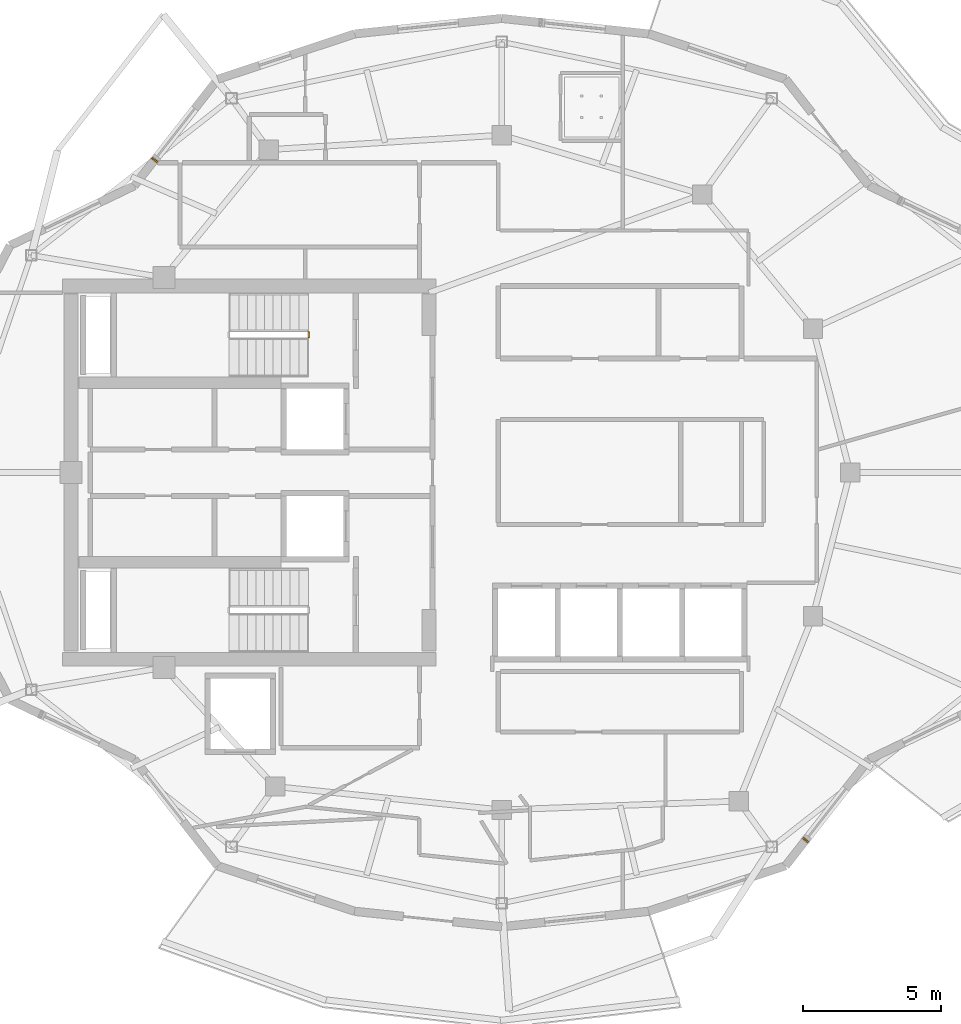
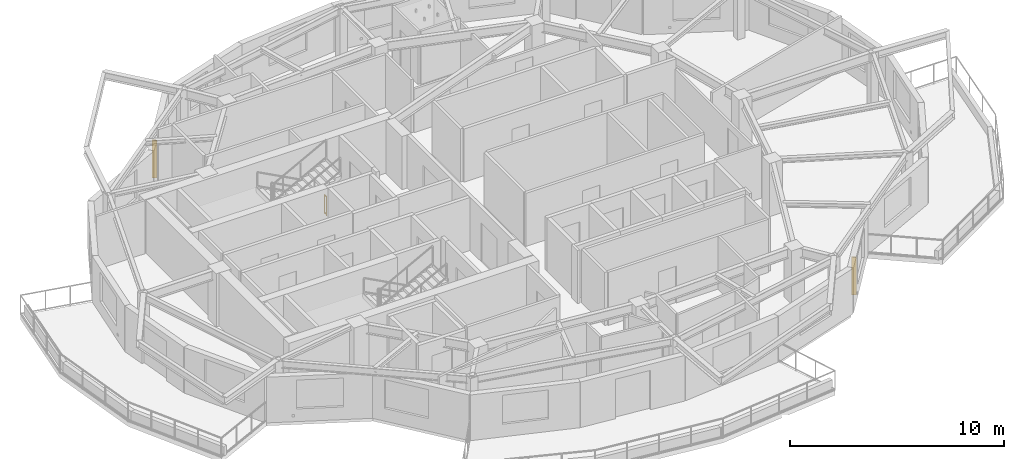
# One storey, part 10 of 11: 2 shading devices, 1 railing.
"""IFC4 building model written with IfcOpenShell, lengths in metres."""

from ifc_helpers import new_model, si_unit, direction, frame, origin, origin_2d, place, context, subcontext, project, spatial, rectangle, extrude, material, type_object, element, save


model = new_model("IFC4")

# Units and contexts
model_context = context("Model", 3, precision=1e-05, world=origin(), true_north=direction((0.0, 1.0)))
body_context = subcontext(model_context, "Body", "Model", "MODEL_VIEW")
ifc_project = project(units=[si_unit("LENGTHUNIT", "METRE"), si_unit("AREAUNIT", "SQUARE_METRE"), si_unit("VOLUMEUNIT", "CUBIC_METRE"), si_unit("PLANEANGLEUNIT", "RADIAN"), si_unit("MASSUNIT", "GRAM", prefix="KILO")], contexts=[model_context])

# Site, building, storey
site_placement = place(None, origin())
site = spatial("IfcSite", under=ifc_project, at=site_placement, CompositionType="ELEMENT")
building_placement = place(site_placement, origin())
building = spatial("IfcBuilding", under=site, at=building_placement, Name="Kolvaren Gate Tower and Convention Centre", CompositionType="ELEMENT")
storey_placement = place(building_placement, frame((0.0, 0.0, 269.0)))
storey = spatial("IfcBuildingStorey", under=building, at=storey_placement, Name="L73", CompositionType="ELEMENT", Elevation=269.0)

# Railing
ifc_material_1 = material(Name="Brushed Stainless Steel Grade 316L", Category="steel")
railing_type = type_object("IfcRailingType", Name="ARCH-RL-GUARD-1150", PredefinedType="GUARDRAIL", material=ifc_material_1)
railing_placement = place(storey_placement, frame((23.14990234375, 32.080078125, 0.0)))
element("IfcRailing", 1, at=railing_placement, inside=storey, type_object=railing_type, Name="L73 ST-T1 stair guard 4", PredefinedType="GUARDRAIL", context=body_context, shape_type="SweptSolid", body=[
    extrude(rectangle(XDim=0.048095703125, YDim=0.048095703125, at=origin_2d()), frame((0.0, 0.0, 1.076171875), z_axis=(0.0, -1.0, 0.0), x_axis=(1.0, 0.0, 0.0)), (0.0, 0.0, 1.0), 0.2001953125),
    extrude(rectangle(XDim=0.048095703125, YDim=0.048095703125, at=origin_2d()), frame((0.0, 0.0, 0.083984375), z_axis=(0.0, -1.0, 0.0), x_axis=(1.0, 0.0, 0.0)), (0.0, 0.0, 1.0), 0.2001953125),
    extrude(rectangle(XDim=0.0419921875, YDim=0.0419921875, at=origin_2d()), origin(), (0.0, 0.0, 1.0), 1.050048828125),
    extrude(rectangle(XDim=0.0419921875, YDim=0.0419921875, at=origin_2d()), frame((0.0, -0.2001953125, 0.0)), (0.0, 0.0, 1.0), 1.050048828125),
])

# Shading devices
ifc_material_2 = material(Name="Kiln-Fired Bogota Terracotta Ceramic Louvre Profile", Category="masonry")
shading_device_type = type_object("IfcShadingDeviceType", Name="ARCH-SHD-FIN-180", PredefinedType="JALOUSIE", material=ifc_material_2)
for number, where, z_axis, x_axis, name in (
    (2, (17.575927734375, 38.3076171875, 0.219970703125), (0.0, 0.0, 1.0), (0.616429996253, 0.787409715281, 0.0), "Ceramic Vertical Brise-Soleil Fin FN-L73-08"),
    (3, (41.12060546875, 13.707763671875, 0.219970703125), (0.0, 0.0, 1.0), (0.616429996253, 0.787409715281, 0.0), "Ceramic Vertical Brise-Soleil Fin FN-L73-20"),
):
    element("IfcShadingDevice", number, at=place(storey_placement, frame(where, z_axis=z_axis, x_axis=x_axis)), inside=storey, type_object=shading_device_type, Name=name, PredefinedType="JALOUSIE", context=body_context, shape_type="SweptSolid", body=[
        extrude(rectangle(XDim=0.06005859375, YDim=0.239990234375, at=origin_2d()), origin(), (0.0, 0.0, 1.0), 2.14990234375),
    ])

save(model, "model.ifc")
